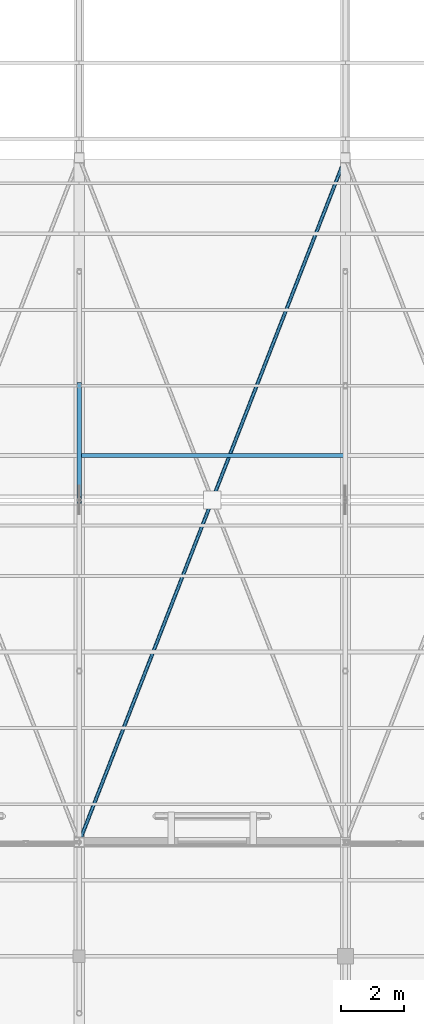
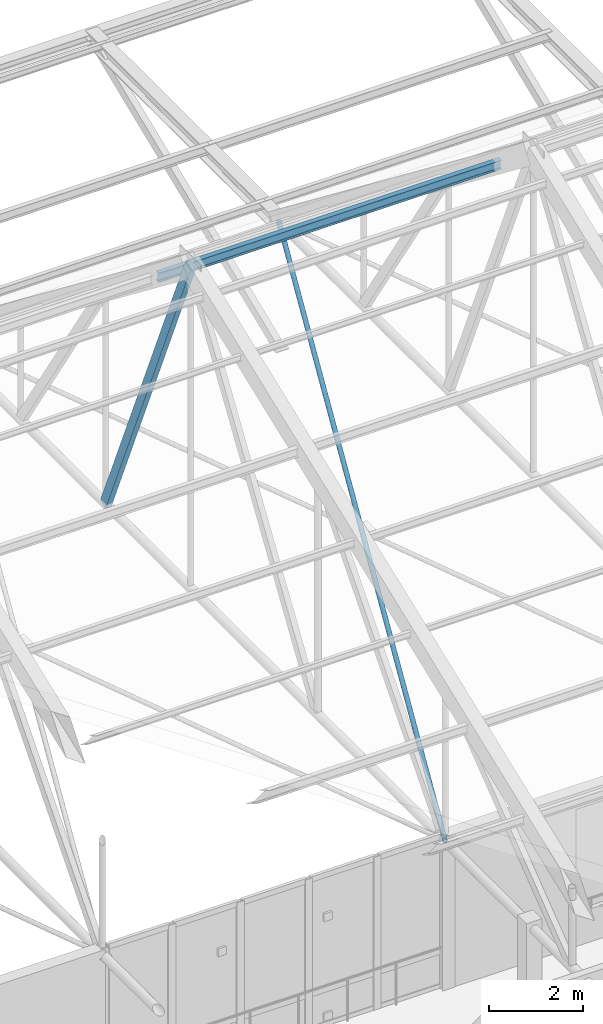
# One storey, part 126 of 217: 3 members.
"""IFC4 building model written with IfcOpenShell, lengths in metres."""

from ifc_helpers import new_model, si_unit, direction, frame, origin, origin_2d, place, context, subcontext, project, spatial, hollow_rectangle, hollow_circle, i_section, extrude, material, material_profile, profile_set, type_object, element, save


model = new_model("IFC4")

# Units and contexts
model_context = context("Model", 3, precision=1e-05, world=origin(), true_north=direction((0.0, 1.0)))
body_context = subcontext(model_context, "Body", "Model", "MODEL_VIEW")
ifc_project = project(units=[si_unit("LENGTHUNIT", "METRE"), si_unit("AREAUNIT", "SQUARE_METRE"), si_unit("VOLUMEUNIT", "CUBIC_METRE"), si_unit("PLANEANGLEUNIT", "RADIAN"), si_unit("MASSUNIT", "GRAM", prefix="KILO")], contexts=[model_context])

# Site, building, storey
site_placement = place(None, origin())
site = spatial("IfcSite", under=ifc_project, at=site_placement, CompositionType="ELEMENT")
building_placement = place(site_placement, origin())
building = spatial("IfcBuilding", under=site, at=building_placement, Name="Mazaris Harbour Polytechnic", CompositionType="ELEMENT")
storey_placement = place(building_placement, frame((0.0, 0.0, 9.60009765625)))
storey = spatial("IfcBuildingStorey", under=building, at=storey_placement, Name="L02", CompositionType="ELEMENT", Elevation=9.60009765625)

# Members
ifc_material_1 = material(Name="Steel S355", Category="steel")
ifc_material_profile_1 = material_profile(ifc_material_1, i_section(OverallWidth=0.1201171875, OverallDepth=0.239990234375, WebThickness=0.006103515625, FlangeThickness=0.009765625, FilletRadius=0.014892578125, at=origin_2d()), Name="IPE 240")
ifc_profile_set_1 = profile_set([ifc_material_profile_1], Name="Steel S355")
member_type_1 = type_object("IfcMemberType", Name="Steel Purlin IPE240", PredefinedType="PURLIN", material=ifc_profile_set_1)
member_1_placement = place(storey_placement, frame((96.0, 98.60009765625, 10.9609375), z_axis=(1.0, 0.0, 0.0), x_axis=(0.0, 1.0, 0.0)))
element("IfcMember", 1, at=member_1_placement, inside=storey, type_object=member_type_1, Name="V1 Roof Purlin N-119", PredefinedType="PURLIN", context=body_context, shape_type="SweptSolid", body=[
    extrude(i_section(OverallWidth=0.1201171875, OverallDepth=0.239990234375, WebThickness=0.006103515625, FlangeThickness=0.009765625, FilletRadius=0.014892578125, at=origin_2d()), origin(), (0.0, 0.0, 1.0), 8.39990234375),
])
ifc_material_2 = material(Name="Steel S355", Category="steel")
ifc_material_profile_2 = material_profile(ifc_material_2, hollow_rectangle(XDim=0.139892578125, YDim=0.239990234375, WallThickness=0.010009765625, at=origin_2d()), Name="RHS 140x240x10.0")
ifc_profile_set_2 = profile_set([ifc_material_profile_2], Name="Steel S355")
member_type_2 = type_object("IfcMemberType", Name="Steel Truss Diagonal RHS140x240", PredefinedType="BRACE", material=ifc_profile_set_2)
member_2_placement = place(storey_placement, frame((96.0, 100.800048828125, 3.75), z_axis=(0.0, -0.395924210908, 0.918283191187), x_axis=(1.0, 0.0, 0.0)))
element("IfcMember", 2, at=member_2_placement, inside=storey, type_object=member_type_2, Name="Truss 6 Web Diagonal N1", PredefinedType="BRACE", context=body_context, shape_type="SweptSolid", body=[
    extrude(hollow_rectangle(XDim=0.139892578125, YDim=0.239990234375, WallThickness=0.010009765625, at=origin_2d()), origin(), (0.0, 0.0, 1.0), 9.093017578125),
])
ifc_material_3 = material(Name="Steel S355", Category="steel")
ifc_material_profile_3 = material_profile(ifc_material_3, hollow_circle(Radius=0.05712890625, WallThickness=0.00634765625, at=origin_2d()), Name="CHS 114.3x6.3")
ifc_profile_set_3 = profile_set([ifc_material_profile_3], Name="Steel S355")
member_type_3 = type_object("IfcMemberType", Name="Steel Wind Brace CHS114", PredefinedType="BRACE", material=ifc_profile_set_3)
member_3_placement = place(storey_placement, frame((96.0, 86.39990234375, 3.75), z_axis=(0.3624411776, 0.932006648463, 0.0), x_axis=(-0.932006648463, 0.3624411776, 0.0)))
element("IfcMember", 3, at=member_3_placement, inside=storey, type_object=member_type_3, Name="V1 Continuous Roof Wind Brace 6A", PredefinedType="BRACE", context=body_context, shape_type="SweptSolid", body=[
    extrude(hollow_circle(Radius=0.05712890625, WallThickness=0.00634765625, at=origin_2d()), origin(), (0.0, 0.0, 1.0), 23.176025390625),
])

save(model, "model.ifc")
